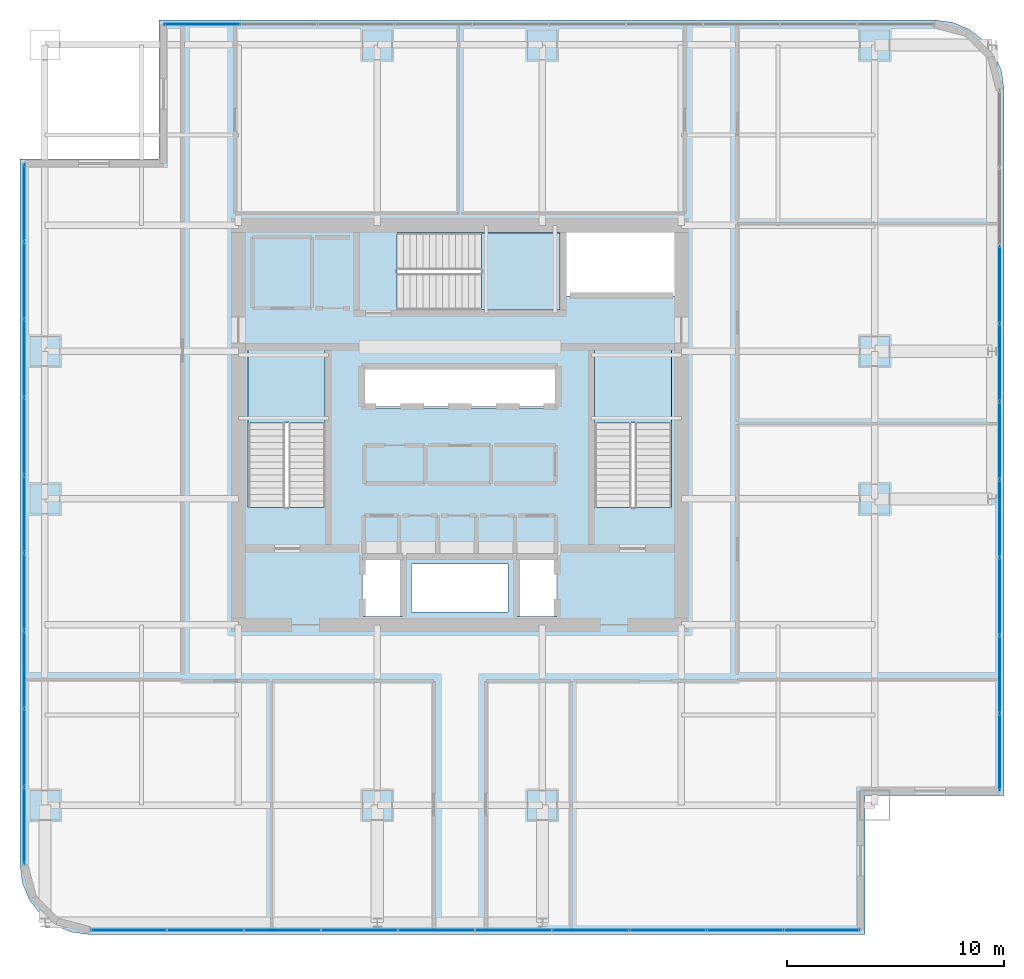
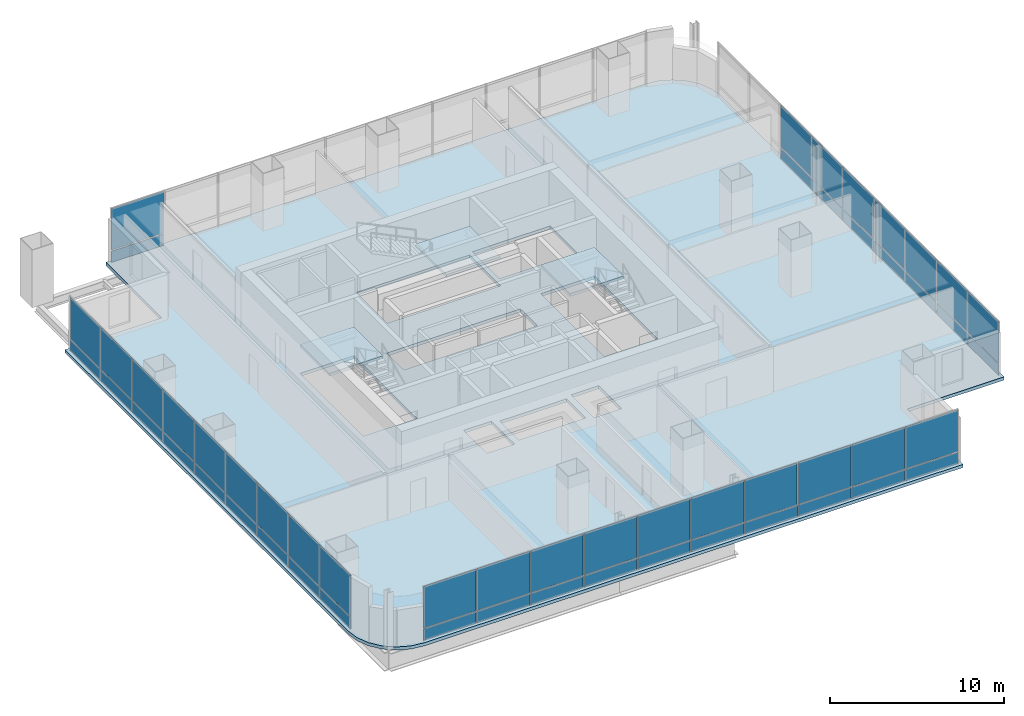
# One storey, part 28 of 36: 54 plates, 4 slabs, 7 elements without a shape of their own.
"""IFC4 building model written with IfcOpenShell, lengths in metres."""

from ifc_helpers import new_model, si_unit, direction, frame, origin, origin_2d, place, context, subcontext, project, spatial, polyline, rectangle, outline, extrude, material, layer, layer_set, type_object, element, aggregate, save


model = new_model("IFC4")

# Units and contexts
model_context = context("Model", 3, precision=1e-05, world=origin(), true_north=direction((0.0, 1.0)))
body_context = subcontext(model_context, "Body", "Model", "MODEL_VIEW")
ifc_project = project(units=[si_unit("LENGTHUNIT", "METRE"), si_unit("AREAUNIT", "SQUARE_METRE"), si_unit("VOLUMEUNIT", "CUBIC_METRE"), si_unit("PLANEANGLEUNIT", "RADIAN"), si_unit("MASSUNIT", "GRAM", prefix="KILO")], contexts=[model_context])

# Site, building, storey
site_placement = place(None, origin())
site = spatial("IfcSite", under=ifc_project, at=site_placement, CompositionType="ELEMENT")
building_placement = place(site_placement, origin())
building = spatial("IfcBuilding", under=site, at=building_placement, Name="Punatoya Terracotta Tower", CompositionType="ELEMENT")
storey_placement = place(building_placement, frame((0.0, 0.0, 228.89990234375)))
storey = spatial("IfcBuildingStorey", under=building, at=storey_placement, Name="L54", CompositionType="ELEMENT", Elevation=228.89990234375)

# Curtain wall, plates
ifc_material_1 = material(Name="Aluminium 6063-T6 + Double Low-E Glass", Category="aluminium")
curtain_wall_type = type_object("IfcCurtainWallType", Name="CW-M2", PredefinedType="NOTDEFINED", material=ifc_material_1)
curtain_wall_1_placement = place(storey_placement, origin())
curtain_wall_1 = element("IfcCurtainWall", 1, at=curtain_wall_1_placement, inside=storey, type_object=curtain_wall_type, Name="L54 Curtain Wall CW-L54-S01-1", PredefinedType="NOTDEFINED")
ifc_material_2 = material(Name="Double Low-E Acoustic Vision Glass", Category="glass")
ifc_layer_1 = layer(ifc_material_2, 0.031982421875)
ifc_layer_set_1 = layer_set([ifc_layer_1], Name="Double Low-E Acoustic Vision Glass")
plate_type_1 = type_object("IfcPlateType", Name="PLT-GLZ-32", PredefinedType="CURTAIN_PANEL", material=ifc_layer_set_1)
plate_1_placement = place(storey_placement, frame((-15.2626953125, -23.25, 0.89013671875), z_axis=(0.0, 0.0, 1.0), x_axis=(1.0, 0.0, 0.0)))
plate_1 = element("IfcPlate", 2, at=plate_1_placement, type_object=plate_type_1, Name="CW-L54-S01-1 Vision Glass Panel 1", PredefinedType="CURTAIN_PANEL", context=body_context, shape_type="SweptSolid", body=[
    extrude(rectangle(XDim=3.463623046875, YDim=0.031982421875, at=origin_2d()), origin(), (0.0, 0.0, 1.0), 2.89990234375),
])
plate_2_placement = place(storey_placement, frame((-11.7138671875, -23.25, 0.89013671875), z_axis=(0.0, 0.0, 1.0), x_axis=(1.0, 0.0, 0.0)))
plate_2 = element("IfcPlate", 3, at=plate_2_placement, type_object=plate_type_1, Name="CW-L54-S01-1 Vision Glass Panel 2", PredefinedType="CURTAIN_PANEL", context=body_context, shape_type="SweptSolid", body=[
    extrude(rectangle(XDim=3.463623046875, YDim=0.031982421875, at=origin_2d()), origin(), (0.0, 0.0, 1.0), 2.89990234375),
])
plate_3_placement = place(storey_placement, frame((-8.165283203125, -23.25, 0.89013671875), z_axis=(0.0, 0.0, 1.0), x_axis=(1.0, 0.0, 0.0)))
plate_3 = element("IfcPlate", 4, at=plate_3_placement, type_object=plate_type_1, Name="CW-L54-S01-1 Vision Glass Panel 3", PredefinedType="CURTAIN_PANEL", context=body_context, shape_type="SweptSolid", body=[
    extrude(rectangle(XDim=3.463623046875, YDim=0.031982421875, at=origin_2d()), origin(), (0.0, 0.0, 1.0), 2.89990234375),
])
plate_4_placement = place(storey_placement, frame((-4.616455078125, -23.25, 0.89013671875), z_axis=(0.0, 0.0, 1.0), x_axis=(1.0, 0.0, 0.0)))
plate_4 = element("IfcPlate", 5, at=plate_4_placement, type_object=plate_type_1, Name="CW-L54-S01-1 Vision Glass Panel 4", PredefinedType="CURTAIN_PANEL", context=body_context, shape_type="SweptSolid", body=[
    extrude(rectangle(XDim=3.463623046875, YDim=0.031982421875, at=origin_2d()), origin(), (0.0, 0.0, 1.0), 2.89990234375),
])
plate_5_placement = place(storey_placement, frame((-1.06787109375, -23.25, 0.89013671875), z_axis=(0.0, 0.0, 1.0), x_axis=(1.0, 0.0, 0.0)))
plate_5 = element("IfcPlate", 6, at=plate_5_placement, type_object=plate_type_1, Name="CW-L54-S01-1 Vision Glass Panel 5", PredefinedType="CURTAIN_PANEL", context=body_context, shape_type="SweptSolid", body=[
    extrude(rectangle(XDim=3.463623046875, YDim=0.031982421875, at=origin_2d()), origin(), (0.0, 0.0, 1.0), 2.89990234375),
])
plate_6_placement = place(storey_placement, frame((2.48095703125, -23.25, 0.89013671875), z_axis=(0.0, 0.0, 1.0), x_axis=(1.0, 0.0, 0.0)))
plate_6 = element("IfcPlate", 7, at=plate_6_placement, type_object=plate_type_1, Name="CW-L54-S01-1 Vision Glass Panel 6", PredefinedType="CURTAIN_PANEL", context=body_context, shape_type="SweptSolid", body=[
    extrude(rectangle(XDim=3.463623046875, YDim=0.031982421875, at=origin_2d()), origin(), (0.0, 0.0, 1.0), 2.89990234375),
])
plate_7_placement = place(storey_placement, frame((6.029541015625, -23.25, 0.89013671875), z_axis=(0.0, 0.0, 1.0), x_axis=(1.0, 0.0, 0.0)))
plate_7 = element("IfcPlate", 8, at=plate_7_placement, type_object=plate_type_1, Name="CW-L54-S01-1 Vision Glass Panel 7", PredefinedType="CURTAIN_PANEL", context=body_context, shape_type="SweptSolid", body=[
    extrude(rectangle(XDim=3.463623046875, YDim=0.031982421875, at=origin_2d()), origin(), (0.0, 0.0, 1.0), 2.89990234375),
])
plate_8_placement = place(storey_placement, frame((9.578369140625, -23.25, 0.89013671875), z_axis=(0.0, 0.0, 1.0), x_axis=(1.0, 0.0, 0.0)))
plate_8 = element("IfcPlate", 9, at=plate_8_placement, type_object=plate_type_1, Name="CW-L54-S01-1 Vision Glass Panel 8", PredefinedType="CURTAIN_PANEL", context=body_context, shape_type="SweptSolid", body=[
    extrude(rectangle(XDim=3.463623046875, YDim=0.031982421875, at=origin_2d()), origin(), (0.0, 0.0, 1.0), 2.89990234375),
])
plate_9_placement = place(storey_placement, frame((13.126953125, -23.25, 0.89013671875), z_axis=(0.0, 0.0, 1.0), x_axis=(1.0, 0.0, 0.0)))
plate_9 = element("IfcPlate", 10, at=plate_9_placement, type_object=plate_type_1, Name="CW-L54-S01-1 Vision Glass Panel 9", PredefinedType="CURTAIN_PANEL", context=body_context, shape_type="SweptSolid", body=[
    extrude(rectangle(XDim=3.463623046875, YDim=0.031982421875, at=origin_2d()), origin(), (0.0, 0.0, 1.0), 2.89990234375),
])
plate_10_placement = place(storey_placement, frame((16.67578125, -23.25, 0.89013671875), z_axis=(0.0, 0.0, 1.0), x_axis=(1.0, 0.0, 0.0)))
plate_10 = element("IfcPlate", 11, at=plate_10_placement, type_object=plate_type_1, Name="CW-L54-S01-1 Vision Glass Panel 10", PredefinedType="CURTAIN_PANEL", context=body_context, shape_type="SweptSolid", body=[
    extrude(rectangle(XDim=3.463623046875, YDim=0.031982421875, at=origin_2d()), origin(), (0.0, 0.0, 1.0), 2.89990234375),
])

curtain_wall_2_placement = place(storey_placement, origin())
curtain_wall_2 = element("IfcCurtainWall", 12, at=curtain_wall_2_placement, inside=storey, type_object=curtain_wall_type, Name="L54 Curtain Wall CW-L54-E04-1", PredefinedType="NOTDEFINED")
plate_11_placement = place(storey_placement, frame((24.85009765625, -15.056396484375, 0.89013671875), z_axis=(0.0, 0.0, 1.0), x_axis=(0.0, 1.0, 0.0)))
plate_11 = element("IfcPlate", 13, at=plate_11_placement, type_object=plate_type_1, Name="CW-L54-E04-1 Vision Glass Panel 1", PredefinedType="CURTAIN_PANEL", context=body_context, shape_type="SweptSolid", body=[
    extrude(rectangle(XDim=3.50244140625, YDim=0.031982421875, at=origin_2d()), origin(), (0.0, 0.0, 1.0), 2.89990234375),
])
plate_12_placement = place(storey_placement, frame((24.85009765625, -11.468994140625, 0.89013671875), z_axis=(0.0, 0.0, 1.0), x_axis=(0.0, 1.0, 0.0)))
plate_12 = element("IfcPlate", 14, at=plate_12_placement, type_object=plate_type_1, Name="CW-L54-E04-1 Vision Glass Panel 2", PredefinedType="CURTAIN_PANEL", context=body_context, shape_type="SweptSolid", body=[
    extrude(rectangle(XDim=3.50244140625, YDim=0.031982421875, at=origin_2d()), origin(), (0.0, 0.0, 1.0), 2.89990234375),
])
plate_13_placement = place(storey_placement, frame((24.85009765625, -7.88134765625, 0.89013671875), z_axis=(0.0, 0.0, 1.0), x_axis=(0.0, 1.0, 0.0)))
plate_13 = element("IfcPlate", 15, at=plate_13_placement, type_object=plate_type_1, Name="CW-L54-E04-1 Vision Glass Panel 3", PredefinedType="CURTAIN_PANEL", context=body_context, shape_type="SweptSolid", body=[
    extrude(rectangle(XDim=3.50244140625, YDim=0.031982421875, at=origin_2d()), origin(), (0.0, 0.0, 1.0), 2.89990234375),
])
plate_14_placement = place(storey_placement, frame((24.85009765625, -4.2939453125, 0.89013671875), z_axis=(0.0, 0.0, 1.0), x_axis=(0.0, 1.0, 0.0)))
plate_14 = element("IfcPlate", 16, at=plate_14_placement, type_object=plate_type_1, Name="CW-L54-E04-1 Vision Glass Panel 4", PredefinedType="CURTAIN_PANEL", context=body_context, shape_type="SweptSolid", body=[
    extrude(rectangle(XDim=3.50244140625, YDim=0.031982421875, at=origin_2d()), origin(), (0.0, 0.0, 1.0), 2.89990234375),
])
plate_15_placement = place(storey_placement, frame((24.85009765625, -0.70654296875, 0.89013671875), z_axis=(0.0, 0.0, 1.0), x_axis=(0.0, 1.0, 0.0)))
plate_15 = element("IfcPlate", 17, at=plate_15_placement, type_object=plate_type_1, Name="CW-L54-E04-1 Vision Glass Panel 5", PredefinedType="CURTAIN_PANEL", context=body_context, shape_type="SweptSolid", body=[
    extrude(rectangle(XDim=3.50244140625, YDim=0.031982421875, at=origin_2d()), origin(), (0.0, 0.0, 1.0), 2.89990234375),
])
plate_16_placement = place(storey_placement, frame((24.85009765625, 2.880859375, 0.89013671875), z_axis=(0.0, 0.0, 1.0), x_axis=(0.0, 1.0, 0.0)))
plate_16 = element("IfcPlate", 18, at=plate_16_placement, type_object=plate_type_1, Name="CW-L54-E04-1 Vision Glass Panel 6", PredefinedType="CURTAIN_PANEL", context=body_context, shape_type="SweptSolid", body=[
    extrude(rectangle(XDim=3.50244140625, YDim=0.031982421875, at=origin_2d()), origin(), (0.0, 0.0, 1.0), 2.89990234375),
])
plate_17_placement = place(storey_placement, frame((24.85009765625, 6.46826171875, 0.89013671875), z_axis=(0.0, 0.0, 1.0), x_axis=(0.0, 1.0, 0.0)))
plate_17 = element("IfcPlate", 19, at=plate_17_placement, type_object=plate_type_1, Name="CW-L54-E04-1 Vision Glass Panel 7", PredefinedType="CURTAIN_PANEL", context=body_context, shape_type="SweptSolid", body=[
    extrude(rectangle(XDim=3.50244140625, YDim=0.031982421875, at=origin_2d()), origin(), (0.0, 0.0, 1.0), 2.89990234375),
])

# Curtain wall, plate
curtain_wall_3_placement = place(storey_placement, origin())
curtain_wall_3 = element("IfcCurtainWall", 20, at=curtain_wall_3_placement, inside=storey, type_object=curtain_wall_type, Name="L54 Curtain Wall CW-L54-N08-1", PredefinedType="NOTDEFINED")
plate_18_placement = place(storey_placement, frame((-11.875732421875, 18.449951171875, 0.89013671875), z_axis=(0.0, 0.0, 1.0), x_axis=(-1.0, 0.0, 0.0)))
plate_18 = element("IfcPlate", 21, at=plate_18_placement, type_object=plate_type_1, Name="CW-L54-N08-1 Vision Glass Panel 10", PredefinedType="CURTAIN_PANEL", context=body_context, shape_type="SweptSolid", body=[
    extrude(rectangle(XDim=3.463623046875, YDim=0.031982421875, at=origin_2d()), origin(), (0.0, 0.0, 1.0), 2.89990234375),
])

# Curtain wall, plates
curtain_wall_4_placement = place(storey_placement, origin())
curtain_wall_4 = element("IfcCurtainWall", 22, at=curtain_wall_4_placement, inside=storey, type_object=curtain_wall_type, Name="L54 Curtain Wall CW-L54-W11-1", PredefinedType="NOTDEFINED")
plate_19_placement = place(storey_placement, frame((-20.050048828125, 10.25634765625, 0.89013671875), z_axis=(0.0, 0.0, 1.0), x_axis=(0.0, -1.0, 0.0)))
plate_19 = element("IfcPlate", 23, at=plate_19_placement, type_object=plate_type_1, Name="CW-L54-W11-1 Vision Glass Panel 1", PredefinedType="CURTAIN_PANEL", context=body_context, shape_type="SweptSolid", body=[
    extrude(rectangle(XDim=3.50244140625, YDim=0.031982421875, at=origin_2d()), origin(), (0.0, 0.0, 1.0), 2.89990234375),
])
plate_20_placement = place(storey_placement, frame((-20.050048828125, 6.6689453125, 0.89013671875), z_axis=(0.0, 0.0, 1.0), x_axis=(0.0, -1.0, 0.0)))
plate_20 = element("IfcPlate", 24, at=plate_20_placement, type_object=plate_type_1, Name="CW-L54-W11-1 Vision Glass Panel 2", PredefinedType="CURTAIN_PANEL", context=body_context, shape_type="SweptSolid", body=[
    extrude(rectangle(XDim=3.50244140625, YDim=0.031982421875, at=origin_2d()), origin(), (0.0, 0.0, 1.0), 2.89990234375),
])
plate_21_placement = place(storey_placement, frame((-20.050048828125, 3.081298828125, 0.89013671875), z_axis=(0.0, 0.0, 1.0), x_axis=(0.0, -1.0, 0.0)))
plate_21 = element("IfcPlate", 25, at=plate_21_placement, type_object=plate_type_1, Name="CW-L54-W11-1 Vision Glass Panel 3", PredefinedType="CURTAIN_PANEL", context=body_context, shape_type="SweptSolid", body=[
    extrude(rectangle(XDim=3.50244140625, YDim=0.031982421875, at=origin_2d()), origin(), (0.0, 0.0, 1.0), 2.89990234375),
])
plate_22_placement = place(storey_placement, frame((-20.050048828125, -0.506103515625, 0.89013671875), z_axis=(0.0, 0.0, 1.0), x_axis=(0.0, -1.0, 0.0)))
plate_22 = element("IfcPlate", 26, at=plate_22_placement, type_object=plate_type_1, Name="CW-L54-W11-1 Vision Glass Panel 4", PredefinedType="CURTAIN_PANEL", context=body_context, shape_type="SweptSolid", body=[
    extrude(rectangle(XDim=3.50244140625, YDim=0.031982421875, at=origin_2d()), origin(), (0.0, 0.0, 1.0), 2.89990234375),
])
plate_23_placement = place(storey_placement, frame((-20.050048828125, -4.093505859375, 0.89013671875), z_axis=(0.0, 0.0, 1.0), x_axis=(0.0, -1.0, 0.0)))
plate_23 = element("IfcPlate", 27, at=plate_23_placement, type_object=plate_type_1, Name="CW-L54-W11-1 Vision Glass Panel 5", PredefinedType="CURTAIN_PANEL", context=body_context, shape_type="SweptSolid", body=[
    extrude(rectangle(XDim=3.50244140625, YDim=0.031982421875, at=origin_2d()), origin(), (0.0, 0.0, 1.0), 2.89990234375),
])
plate_24_placement = place(storey_placement, frame((-20.050048828125, -7.680908203125, 0.89013671875), z_axis=(0.0, 0.0, 1.0), x_axis=(0.0, -1.0, 0.0)))
plate_24 = element("IfcPlate", 28, at=plate_24_placement, type_object=plate_type_1, Name="CW-L54-W11-1 Vision Glass Panel 6", PredefinedType="CURTAIN_PANEL", context=body_context, shape_type="SweptSolid", body=[
    extrude(rectangle(XDim=3.50244140625, YDim=0.031982421875, at=origin_2d()), origin(), (0.0, 0.0, 1.0), 2.89990234375),
])
plate_25_placement = place(storey_placement, frame((-20.050048828125, -11.268310546875, 0.89013671875), z_axis=(0.0, 0.0, 1.0), x_axis=(0.0, -1.0, 0.0)))
plate_25 = element("IfcPlate", 29, at=plate_25_placement, type_object=plate_type_1, Name="CW-L54-W11-1 Vision Glass Panel 7", PredefinedType="CURTAIN_PANEL", context=body_context, shape_type="SweptSolid", body=[
    extrude(rectangle(XDim=3.50244140625, YDim=0.031982421875, at=origin_2d()), origin(), (0.0, 0.0, 1.0), 2.89990234375),
])
plate_26_placement = place(storey_placement, frame((-20.050048828125, -14.855712890625, 0.89013671875), z_axis=(0.0, 0.0, 1.0), x_axis=(0.0, -1.0, 0.0)))
plate_26 = element("IfcPlate", 30, at=plate_26_placement, type_object=plate_type_1, Name="CW-L54-W11-1 Vision Glass Panel 8", PredefinedType="CURTAIN_PANEL", context=body_context, shape_type="SweptSolid", body=[
    extrude(rectangle(XDim=3.50244140625, YDim=0.031982421875, at=origin_2d()), origin(), (0.0, 0.0, 1.0), 2.89990234375),
])
plate_27_placement = place(storey_placement, frame((-20.050048828125, -18.443115234375, 0.89013671875), z_axis=(0.0, 0.0, 1.0), x_axis=(0.0, -1.0, 0.0)))
plate_27 = element("IfcPlate", 31, at=plate_27_placement, type_object=plate_type_1, Name="CW-L54-W11-1 Vision Glass Panel 9", PredefinedType="CURTAIN_PANEL", context=body_context, shape_type="SweptSolid", body=[
    extrude(rectangle(XDim=3.50244140625, YDim=0.031982421875, at=origin_2d()), origin(), (0.0, 0.0, 1.0), 2.89990234375),
])

# Plate
ifc_material_3 = material(Name="Insulated Terracotta-Backed Spandrel Panel", Category="masonry")
ifc_layer_2 = layer(ifc_material_3, 0.044921875)
ifc_layer_set_2 = layer_set([ifc_layer_2], Name="Insulated Terracotta-Backed Spandrel Panel")
plate_type_2 = type_object("IfcPlateType", Name="PLT-SPN-45", PredefinedType="CURTAIN_PANEL", material=ifc_layer_set_2)
plate_28_placement = place(storey_placement, frame((-15.2626953125, -23.25, 0.0400390625), z_axis=(0.0, 0.0, 1.0), x_axis=(1.0, 0.0, 0.0)))
plate_28 = element("IfcPlate", 32, at=plate_28_placement, type_object=plate_type_2, Name="CW-L54-S01-1 Terracotta Spandrel Panel 1", PredefinedType="CURTAIN_PANEL", context=body_context, shape_type="SweptSolid", body=[
    extrude(rectangle(XDim=3.463623046875, YDim=0.044921875, at=origin_2d()), origin(), (0.0, 0.0, 1.0), 0.77490234375),
])

plate_29_placement = place(storey_placement, frame((-11.7138671875, -23.25, 0.0400390625), z_axis=(0.0, 0.0, 1.0), x_axis=(1.0, 0.0, 0.0)))
plate_29 = element("IfcPlate", 33, at=plate_29_placement, type_object=plate_type_2, Name="CW-L54-S01-1 Terracotta Spandrel Panel 2", PredefinedType="CURTAIN_PANEL", context=body_context, shape_type="SweptSolid", body=[
    extrude(rectangle(XDim=3.463623046875, YDim=0.044921875, at=origin_2d()), origin(), (0.0, 0.0, 1.0), 0.77490234375),
])

plate_30_placement = place(storey_placement, frame((-8.165283203125, -23.25, 0.0400390625), z_axis=(0.0, 0.0, 1.0), x_axis=(1.0, 0.0, 0.0)))
plate_30 = element("IfcPlate", 34, at=plate_30_placement, type_object=plate_type_2, Name="CW-L54-S01-1 Terracotta Spandrel Panel 3", PredefinedType="CURTAIN_PANEL", context=body_context, shape_type="SweptSolid", body=[
    extrude(rectangle(XDim=3.463623046875, YDim=0.044921875, at=origin_2d()), origin(), (0.0, 0.0, 1.0), 0.77490234375),
])

plate_31_placement = place(storey_placement, frame((-4.616455078125, -23.25, 0.0400390625), z_axis=(0.0, 0.0, 1.0), x_axis=(1.0, 0.0, 0.0)))
plate_31 = element("IfcPlate", 35, at=plate_31_placement, type_object=plate_type_2, Name="CW-L54-S01-1 Terracotta Spandrel Panel 4", PredefinedType="CURTAIN_PANEL", context=body_context, shape_type="SweptSolid", body=[
    extrude(rectangle(XDim=3.463623046875, YDim=0.044921875, at=origin_2d()), origin(), (0.0, 0.0, 1.0), 0.77490234375),
])

plate_32_placement = place(storey_placement, frame((-1.06787109375, -23.25, 0.0400390625), z_axis=(0.0, 0.0, 1.0), x_axis=(1.0, 0.0, 0.0)))
plate_32 = element("IfcPlate", 36, at=plate_32_placement, type_object=plate_type_2, Name="CW-L54-S01-1 Terracotta Spandrel Panel 5", PredefinedType="CURTAIN_PANEL", context=body_context, shape_type="SweptSolid", body=[
    extrude(rectangle(XDim=3.463623046875, YDim=0.044921875, at=origin_2d()), origin(), (0.0, 0.0, 1.0), 0.77490234375),
])

plate_33_placement = place(storey_placement, frame((2.48095703125, -23.25, 0.0400390625), z_axis=(0.0, 0.0, 1.0), x_axis=(1.0, 0.0, 0.0)))
plate_33 = element("IfcPlate", 37, at=plate_33_placement, type_object=plate_type_2, Name="CW-L54-S01-1 Terracotta Spandrel Panel 6", PredefinedType="CURTAIN_PANEL", context=body_context, shape_type="SweptSolid", body=[
    extrude(rectangle(XDim=3.463623046875, YDim=0.044921875, at=origin_2d()), origin(), (0.0, 0.0, 1.0), 0.77490234375),
])

plate_34_placement = place(storey_placement, frame((6.029541015625, -23.25, 0.0400390625), z_axis=(0.0, 0.0, 1.0), x_axis=(1.0, 0.0, 0.0)))
plate_34 = element("IfcPlate", 38, at=plate_34_placement, type_object=plate_type_2, Name="CW-L54-S01-1 Terracotta Spandrel Panel 7", PredefinedType="CURTAIN_PANEL", context=body_context, shape_type="SweptSolid", body=[
    extrude(rectangle(XDim=3.463623046875, YDim=0.044921875, at=origin_2d()), origin(), (0.0, 0.0, 1.0), 0.77490234375),
])

plate_35_placement = place(storey_placement, frame((9.578369140625, -23.25, 0.0400390625), z_axis=(0.0, 0.0, 1.0), x_axis=(1.0, 0.0, 0.0)))
plate_35 = element("IfcPlate", 39, at=plate_35_placement, type_object=plate_type_2, Name="CW-L54-S01-1 Terracotta Spandrel Panel 8", PredefinedType="CURTAIN_PANEL", context=body_context, shape_type="SweptSolid", body=[
    extrude(rectangle(XDim=3.463623046875, YDim=0.044921875, at=origin_2d()), origin(), (0.0, 0.0, 1.0), 0.77490234375),
])

plate_36_placement = place(storey_placement, frame((13.126953125, -23.25, 0.0400390625), z_axis=(0.0, 0.0, 1.0), x_axis=(1.0, 0.0, 0.0)))
plate_36 = element("IfcPlate", 40, at=plate_36_placement, type_object=plate_type_2, Name="CW-L54-S01-1 Terracotta Spandrel Panel 9", PredefinedType="CURTAIN_PANEL", context=body_context, shape_type="SweptSolid", body=[
    extrude(rectangle(XDim=3.463623046875, YDim=0.044921875, at=origin_2d()), origin(), (0.0, 0.0, 1.0), 0.77490234375),
])

plate_37_placement = place(storey_placement, frame((16.67578125, -23.25, 0.0400390625), z_axis=(0.0, 0.0, 1.0), x_axis=(1.0, 0.0, 0.0)))
plate_37 = element("IfcPlate", 41, at=plate_37_placement, type_object=plate_type_2, Name="CW-L54-S01-1 Terracotta Spandrel Panel 10", PredefinedType="CURTAIN_PANEL", context=body_context, shape_type="SweptSolid", body=[
    extrude(rectangle(XDim=3.463623046875, YDim=0.044921875, at=origin_2d()), origin(), (0.0, 0.0, 1.0), 0.77490234375),
])

aggregate(curtain_wall_1, [plate_28, plate_1, plate_29, plate_2, plate_30, plate_3, plate_31, plate_4, plate_32, plate_5, plate_33, plate_6, plate_34, plate_7, plate_35, plate_8, plate_36, plate_9, plate_37, plate_10])

plate_38_placement = place(storey_placement, frame((24.85009765625, -15.056396484375, 0.0400390625), z_axis=(0.0, 0.0, 1.0), x_axis=(0.0, 1.0, 0.0)))
plate_38 = element("IfcPlate", 42, at=plate_38_placement, type_object=plate_type_2, Name="CW-L54-E04-1 Terracotta Spandrel Panel 1", PredefinedType="CURTAIN_PANEL", context=body_context, shape_type="SweptSolid", body=[
    extrude(rectangle(XDim=3.50244140625, YDim=0.044921875, at=origin_2d()), origin(), (0.0, 0.0, 1.0), 0.77490234375),
])

plate_39_placement = place(storey_placement, frame((24.85009765625, -11.468994140625, 0.0400390625), z_axis=(0.0, 0.0, 1.0), x_axis=(0.0, 1.0, 0.0)))
plate_39 = element("IfcPlate", 43, at=plate_39_placement, type_object=plate_type_2, Name="CW-L54-E04-1 Terracotta Spandrel Panel 2", PredefinedType="CURTAIN_PANEL", context=body_context, shape_type="SweptSolid", body=[
    extrude(rectangle(XDim=3.50244140625, YDim=0.044921875, at=origin_2d()), origin(), (0.0, 0.0, 1.0), 0.77490234375),
])

plate_40_placement = place(storey_placement, frame((24.85009765625, -7.88134765625, 0.0400390625), z_axis=(0.0, 0.0, 1.0), x_axis=(0.0, 1.0, 0.0)))
plate_40 = element("IfcPlate", 44, at=plate_40_placement, type_object=plate_type_2, Name="CW-L54-E04-1 Terracotta Spandrel Panel 3", PredefinedType="CURTAIN_PANEL", context=body_context, shape_type="SweptSolid", body=[
    extrude(rectangle(XDim=3.50244140625, YDim=0.044921875, at=origin_2d()), origin(), (0.0, 0.0, 1.0), 0.77490234375),
])

plate_41_placement = place(storey_placement, frame((24.85009765625, -4.2939453125, 0.0400390625), z_axis=(0.0, 0.0, 1.0), x_axis=(0.0, 1.0, 0.0)))
plate_41 = element("IfcPlate", 45, at=plate_41_placement, type_object=plate_type_2, Name="CW-L54-E04-1 Terracotta Spandrel Panel 4", PredefinedType="CURTAIN_PANEL", context=body_context, shape_type="SweptSolid", body=[
    extrude(rectangle(XDim=3.50244140625, YDim=0.044921875, at=origin_2d()), origin(), (0.0, 0.0, 1.0), 0.77490234375),
])

plate_42_placement = place(storey_placement, frame((24.85009765625, -0.70654296875, 0.0400390625), z_axis=(0.0, 0.0, 1.0), x_axis=(0.0, 1.0, 0.0)))
plate_42 = element("IfcPlate", 46, at=plate_42_placement, type_object=plate_type_2, Name="CW-L54-E04-1 Terracotta Spandrel Panel 5", PredefinedType="CURTAIN_PANEL", context=body_context, shape_type="SweptSolid", body=[
    extrude(rectangle(XDim=3.50244140625, YDim=0.044921875, at=origin_2d()), origin(), (0.0, 0.0, 1.0), 0.77490234375),
])

plate_43_placement = place(storey_placement, frame((24.85009765625, 2.880859375, 0.0400390625), z_axis=(0.0, 0.0, 1.0), x_axis=(0.0, 1.0, 0.0)))
plate_43 = element("IfcPlate", 47, at=plate_43_placement, type_object=plate_type_2, Name="CW-L54-E04-1 Terracotta Spandrel Panel 6", PredefinedType="CURTAIN_PANEL", context=body_context, shape_type="SweptSolid", body=[
    extrude(rectangle(XDim=3.50244140625, YDim=0.044921875, at=origin_2d()), origin(), (0.0, 0.0, 1.0), 0.77490234375),
])

plate_44_placement = place(storey_placement, frame((24.85009765625, 6.46826171875, 0.0400390625), z_axis=(0.0, 0.0, 1.0), x_axis=(0.0, 1.0, 0.0)))
plate_44 = element("IfcPlate", 48, at=plate_44_placement, type_object=plate_type_2, Name="CW-L54-E04-1 Terracotta Spandrel Panel 7", PredefinedType="CURTAIN_PANEL", context=body_context, shape_type="SweptSolid", body=[
    extrude(rectangle(XDim=3.50244140625, YDim=0.044921875, at=origin_2d()), origin(), (0.0, 0.0, 1.0), 0.77490234375),
])

aggregate(curtain_wall_2, [plate_38, plate_11, plate_39, plate_12, plate_40, plate_13, plate_41, plate_14, plate_42, plate_15, plate_43, plate_16, plate_44, plate_17])

plate_45_placement = place(storey_placement, frame((-11.875732421875, 18.449951171875, 0.0400390625), z_axis=(0.0, 0.0, 1.0), x_axis=(-1.0, 0.0, 0.0)))
plate_45 = element("IfcPlate", 49, at=plate_45_placement, type_object=plate_type_2, Name="CW-L54-N08-1 Terracotta Spandrel Panel 10", PredefinedType="CURTAIN_PANEL", context=body_context, shape_type="SweptSolid", body=[
    extrude(rectangle(XDim=3.463623046875, YDim=0.044921875, at=origin_2d()), origin(), (0.0, 0.0, 1.0), 0.77490234375),
])

aggregate(curtain_wall_3, [plate_45, plate_18])

plate_46_placement = place(storey_placement, frame((-20.050048828125, 10.25634765625, 0.0400390625), z_axis=(0.0, 0.0, 1.0), x_axis=(0.0, -1.0, 0.0)))
plate_46 = element("IfcPlate", 50, at=plate_46_placement, type_object=plate_type_2, Name="CW-L54-W11-1 Terracotta Spandrel Panel 1", PredefinedType="CURTAIN_PANEL", context=body_context, shape_type="SweptSolid", body=[
    extrude(rectangle(XDim=3.50244140625, YDim=0.044921875, at=origin_2d()), origin(), (0.0, 0.0, 1.0), 0.77490234375),
])

plate_47_placement = place(storey_placement, frame((-20.050048828125, 6.6689453125, 0.0400390625), z_axis=(0.0, 0.0, 1.0), x_axis=(0.0, -1.0, 0.0)))
plate_47 = element("IfcPlate", 51, at=plate_47_placement, type_object=plate_type_2, Name="CW-L54-W11-1 Terracotta Spandrel Panel 2", PredefinedType="CURTAIN_PANEL", context=body_context, shape_type="SweptSolid", body=[
    extrude(rectangle(XDim=3.50244140625, YDim=0.044921875, at=origin_2d()), origin(), (0.0, 0.0, 1.0), 0.77490234375),
])

plate_48_placement = place(storey_placement, frame((-20.050048828125, 3.081298828125, 0.0400390625), z_axis=(0.0, 0.0, 1.0), x_axis=(0.0, -1.0, 0.0)))
plate_48 = element("IfcPlate", 52, at=plate_48_placement, type_object=plate_type_2, Name="CW-L54-W11-1 Terracotta Spandrel Panel 3", PredefinedType="CURTAIN_PANEL", context=body_context, shape_type="SweptSolid", body=[
    extrude(rectangle(XDim=3.50244140625, YDim=0.044921875, at=origin_2d()), origin(), (0.0, 0.0, 1.0), 0.77490234375),
])

plate_49_placement = place(storey_placement, frame((-20.050048828125, -0.506103515625, 0.0400390625), z_axis=(0.0, 0.0, 1.0), x_axis=(0.0, -1.0, 0.0)))
plate_49 = element("IfcPlate", 53, at=plate_49_placement, type_object=plate_type_2, Name="CW-L54-W11-1 Terracotta Spandrel Panel 4", PredefinedType="CURTAIN_PANEL", context=body_context, shape_type="SweptSolid", body=[
    extrude(rectangle(XDim=3.50244140625, YDim=0.044921875, at=origin_2d()), origin(), (0.0, 0.0, 1.0), 0.77490234375),
])

plate_50_placement = place(storey_placement, frame((-20.050048828125, -4.093505859375, 0.0400390625), z_axis=(0.0, 0.0, 1.0), x_axis=(0.0, -1.0, 0.0)))
plate_50 = element("IfcPlate", 54, at=plate_50_placement, type_object=plate_type_2, Name="CW-L54-W11-1 Terracotta Spandrel Panel 5", PredefinedType="CURTAIN_PANEL", context=body_context, shape_type="SweptSolid", body=[
    extrude(rectangle(XDim=3.50244140625, YDim=0.044921875, at=origin_2d()), origin(), (0.0, 0.0, 1.0), 0.77490234375),
])

plate_51_placement = place(storey_placement, frame((-20.050048828125, -7.680908203125, 0.0400390625), z_axis=(0.0, 0.0, 1.0), x_axis=(0.0, -1.0, 0.0)))
plate_51 = element("IfcPlate", 55, at=plate_51_placement, type_object=plate_type_2, Name="CW-L54-W11-1 Terracotta Spandrel Panel 6", PredefinedType="CURTAIN_PANEL", context=body_context, shape_type="SweptSolid", body=[
    extrude(rectangle(XDim=3.50244140625, YDim=0.044921875, at=origin_2d()), origin(), (0.0, 0.0, 1.0), 0.77490234375),
])

plate_52_placement = place(storey_placement, frame((-20.050048828125, -11.268310546875, 0.0400390625), z_axis=(0.0, 0.0, 1.0), x_axis=(0.0, -1.0, 0.0)))
plate_52 = element("IfcPlate", 56, at=plate_52_placement, type_object=plate_type_2, Name="CW-L54-W11-1 Terracotta Spandrel Panel 7", PredefinedType="CURTAIN_PANEL", context=body_context, shape_type="SweptSolid", body=[
    extrude(rectangle(XDim=3.50244140625, YDim=0.044921875, at=origin_2d()), origin(), (0.0, 0.0, 1.0), 0.77490234375),
])

plate_53_placement = place(storey_placement, frame((-20.050048828125, -14.855712890625, 0.0400390625), z_axis=(0.0, 0.0, 1.0), x_axis=(0.0, -1.0, 0.0)))
plate_53 = element("IfcPlate", 57, at=plate_53_placement, type_object=plate_type_2, Name="CW-L54-W11-1 Terracotta Spandrel Panel 8", PredefinedType="CURTAIN_PANEL", context=body_context, shape_type="SweptSolid", body=[
    extrude(rectangle(XDim=3.50244140625, YDim=0.044921875, at=origin_2d()), origin(), (0.0, 0.0, 1.0), 0.77490234375),
])

plate_54_placement = place(storey_placement, frame((-20.050048828125, -18.443115234375, 0.0400390625), z_axis=(0.0, 0.0, 1.0), x_axis=(0.0, -1.0, 0.0)))
plate_54 = element("IfcPlate", 58, at=plate_54_placement, type_object=plate_type_2, Name="CW-L54-W11-1 Terracotta Spandrel Panel 9", PredefinedType="CURTAIN_PANEL", context=body_context, shape_type="SweptSolid", body=[
    extrude(rectangle(XDim=3.50244140625, YDim=0.044921875, at=origin_2d()), origin(), (0.0, 0.0, 1.0), 0.77490234375),
])

aggregate(curtain_wall_4, [plate_46, plate_19, plate_47, plate_20, plate_48, plate_21, plate_49, plate_22, plate_50, plate_23, plate_51, plate_24, plate_52, plate_25, plate_53, plate_26, plate_54, plate_27])

# Stair, slab
ifc_material_4 = material(Name="Concrete C40/50", Category="concrete")
stair_type_1 = type_object("IfcStairType", Name="STR-TER-1450", PredefinedType="HALF_TURN_STAIR", material=ifc_material_4)
stair_1_placement = place(storey_placement, origin())
stair_1 = element("IfcStair", 59, at=stair_1_placement, inside=storey, type_object=stair_type_1, Name="L54 Protected Core Exit Stair ST-3", PredefinedType="HALF_TURN_STAIR")
ifc_layer_3 = layer(ifc_material_4, 0.1650390625)
ifc_layer_set_3 = layer_set([ifc_layer_3], Name="Concrete C40/50")
slab_type_1 = type_object("IfcSlabType", Name="SLB-LND-165", PredefinedType="LANDING", material=ifc_layer_set_3)
slab_1_placement = place(storey_placement, frame((0.0, 0.0, 1.8251953125)))
slab_1 = element("IfcSlab", 60, at=slab_1_placement, type_object=slab_type_1, Name="ST-3 landing 1", PredefinedType="LANDING", context=body_context, shape_type="SweptSolid", body=[
    extrude(outline(polyline([(1.0, 5.300048828125), (4.60009765625, 5.300048828125), (4.60009765625, 8.85009765625), (1.0, 8.85009765625), (1.0, 5.300048828125)])), origin(), (0.0, 0.0, 1.0), 0.199951171875),
])
aggregate(stair_1, [slab_1])

stair_type_2 = type_object("IfcStairType", Name="STR-CORE-1550", PredefinedType="HALF_TURN_STAIR", material=ifc_material_4)
stair_2_placement = place(storey_placement, origin())
stair_2 = element("IfcStair", 61, at=stair_2_placement, inside=storey, type_object=stair_type_2, Name="L54 Protected Core Exit Stair ST-1", PredefinedType="HALF_TURN_STAIR")
ifc_layer_4 = layer(ifc_material_4, 0.179931640625)
ifc_layer_set_4 = layer_set([ifc_layer_4], Name="Concrete C40/50")
slab_type_2 = type_object("IfcSlabType", Name="SLB-LND-180", PredefinedType="LANDING", material=ifc_layer_set_4)
slab_2_placement = place(storey_placement, frame((0.0, 0.0, 1.8251953125)))
slab_2 = element("IfcSlab", 62, at=slab_2_placement, type_object=slab_type_2, Name="ST-1 landing 1", PredefinedType="LANDING", context=body_context, shape_type="SweptSolid", body=[
    extrude(outline(polyline([(-6.199951171875, 0.10009765625), (-6.199951171875, 3.449951171875), (-9.75, 3.449951171875), (-9.75, 0.10009765625), (-6.199951171875, 0.10009765625)])), origin(), (0.0, 0.0, 1.0), 0.199951171875),
])
aggregate(stair_2, [slab_2])

stair_type_3 = type_object("IfcStairType", Name="STR-LOB-1650", PredefinedType="HALF_TURN_STAIR", material=ifc_material_4)
stair_3_placement = place(storey_placement, origin())
stair_3 = element("IfcStair", 63, at=stair_3_placement, inside=storey, type_object=stair_type_3, Name="L54 Protected Core Exit Stair ST-2", PredefinedType="HALF_TURN_STAIR")
slab_3_placement = place(storey_placement, frame((0.0, 0.0, 1.8251953125)))
slab_3 = element("IfcSlab", 64, at=slab_3_placement, type_object=slab_type_2, Name="ST-2 landing 1", PredefinedType="LANDING", context=body_context, shape_type="SweptSolid", body=[
    extrude(outline(polyline([(9.75, 0.10009765625), (9.75, 3.449951171875), (6.199951171875, 3.449951171875), (6.199951171875, 0.10009765625), (9.75, 0.10009765625)])), origin(), (0.0, 0.0, 1.0), 0.199951171875),
])
aggregate(stair_3, [slab_3])

# Slab
ifc_layer_5 = layer(ifc_material_4, 0.219970703125)
ifc_layer_set_5 = layer_set([ifc_layer_5], Name="Concrete C40/50")
slab_type_3 = type_object("IfcSlabType", Name="SLB-OFF-220", PredefinedType="FLOOR", material=ifc_layer_set_5)
slab_4_placement = place(storey_placement, frame((0.0, 0.0, -0.219970703125)))
element("IfcSlab", 65, at=slab_4_placement, inside=storey, type_object=slab_type_3, Name="L54 Structural Floor Slab", PredefinedType="FLOOR", context=body_context, shape_type="SweptSolid", body=[
    extrude(outline(polyline([(-17.050048828125, -23.449951171875), (-17.878173828125, -23.341064453125), (-18.64990234375, -23.021240234375), (-19.312744140625, -22.5126953125), (-19.8212890625, -21.85009765625), (-20.14111328125, -21.078125), (-20.25, -20.25), (-20.25, 12.25), (-13.85009765625, 12.25), (-13.85009765625, 18.64990234375), (21.85009765625, 18.64990234375), (22.67822265625, 18.541015625), (23.449951171875, 18.22119140625), (24.11279296875, 17.712646484375), (24.621337890625, 17.050048828125), (24.94091796875, 16.2783203125), (25.050048828125, 15.449951171875), (25.050048828125, -17.050048828125), (18.64990234375, -17.050048828125), (18.64990234375, -23.449951171875), (-17.050048828125, -23.449951171875)]), holes=[polyline([(-2.6298828125, -6.179931640625), (-4.469970703125, -6.179931640625), (-4.469970703125, -8.820068359375), (-2.6298828125, -8.820068359375), (-2.6298828125, -6.179931640625)]), polyline([(0.02001953125, -8.594970703125), (2.219970703125, -8.594970703125), (2.219970703125, -6.405029296875), (0.02001953125, -6.405029296875), (-0.02001953125, -6.405029296875), (-2.219970703125, -6.405029296875), (-2.219970703125, -8.594970703125), (-0.02001953125, -8.594970703125), (0.02001953125, -8.594970703125)]), polyline([(-6.199951171875, 3.449951171875), (-9.75, 3.449951171875), (-9.75, -3.79931640625), (-6.199951171875, -3.79931640625), (-6.199951171875, 3.449951171875)]), polyline([(-4.419921875, 2.719970703125), (-4.419921875, 0.780029296875), (-2.219970703125, 0.780029296875), (-2.179931640625, 0.780029296875), (-0.02001953125, 0.780029296875), (0.02001953125, 0.780029296875), (2.179931640625, 0.780029296875), (2.219970703125, 0.780029296875), (4.419921875, 0.780029296875), (4.419921875, 2.719970703125), (2.219970703125, 2.719970703125), (2.179931640625, 2.719970703125), (0.02001953125, 2.719970703125), (-0.02001953125, 2.719970703125), (-2.179931640625, 2.719970703125), (-2.219970703125, 2.719970703125), (-4.419921875, 2.719970703125)]), polyline([(4.60009765625, 5.300048828125), (4.60009765625, 8.85009765625), (-2.899169921875, 8.85009765625), (-2.899169921875, 5.300048828125), (4.60009765625, 5.300048828125)]), polyline([(4.469970703125, -8.820068359375), (4.469970703125, -6.179931640625), (2.6298828125, -6.179931640625), (2.6298828125, -8.820068359375), (4.469970703125, -8.820068359375)]), polyline([(9.75, 3.449951171875), (6.199951171875, 3.449951171875), (6.199951171875, -3.79931640625), (9.75, -3.79931640625), (9.75, 3.449951171875)]), polyline([(10.050048828125, 5.949951171875), (10.050048828125, 9.050048828125), (4.89990234375, 9.050048828125), (4.89990234375, 5.949951171875), (10.050048828125, 5.949951171875)])]), origin(), (0.0, 0.0, 1.0), 0.219970703125),
])

save(model, "model.ifc")
